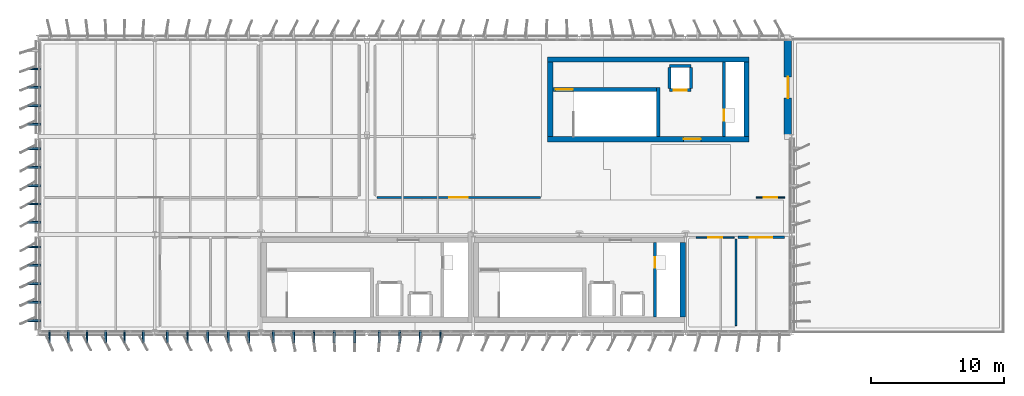
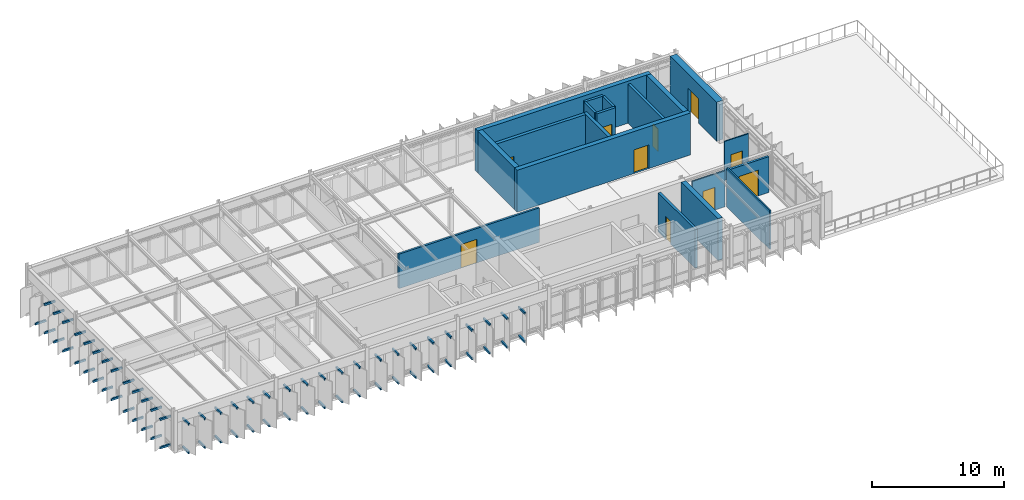
# One storey, part 16 of 20: 67 discrete accessories, 19 walls, 10 doors, 10 openings.
"""IFC4 building model written with IfcOpenShell, lengths in metres."""

from ifc_helpers import new_model, si_unit, direction, frame, frame_2d, origin, origin_2d, place, context, subcontext, project, spatial, rectangle, extrude, material, layer, layer_set, type_object, element, fill, save


model = new_model("IFC4")

# Units and contexts
model_context = context("Model", 3, precision=1e-05, world=origin(), true_north=direction((0.0, 1.0)))
body_context = subcontext(model_context, "Body", "Model", "MODEL_VIEW")
ifc_project = project(units=[si_unit("LENGTHUNIT", "METRE"), si_unit("AREAUNIT", "SQUARE_METRE"), si_unit("VOLUMEUNIT", "CUBIC_METRE"), si_unit("PLANEANGLEUNIT", "RADIAN"), si_unit("MASSUNIT", "GRAM", prefix="KILO")], contexts=[model_context])

# Site, building, storey
site_placement = place(None, origin())
site = spatial("IfcSite", under=ifc_project, at=site_placement, CompositionType="ELEMENT")
building_placement = place(site_placement, origin())
building = spatial("IfcBuilding", under=site, at=building_placement, Name="Valkorina Park Police Headquarters", CompositionType="ELEMENT")
storey_placement = place(building_placement, frame((0.0, 0.0, 31.10009765625)))
storey = spatial("IfcBuildingStorey", under=building, at=storey_placement, Name="L08", CompositionType="ELEMENT", Elevation=31.10009765625)

# Wall, opening, door
ifc_material_1 = material(Name="Acoustic mineral board")
ifc_layer_1 = layer(ifc_material_1, 0.175048828125)
ifc_layer_set_1 = layer_set([ifc_layer_1], Name="Acoustic mineral board")
wall_type_1 = type_object("IfcWallType", Name="WL-BRIEF-175-EI60", PredefinedType="PARTITIONING", material=ifc_layer_set_1)
wall_1_placement = place(storey_placement, frame((25.5400390625, 47.199951171875, 0.0), z_axis=(0.0, 0.0, 1.0), x_axis=(1.0, 0.0, 0.0)))
wall_1 = element("IfcWall", 1, at=wall_1_placement, inside=storey, type_object=wall_type_1, Name="L08 Interior Partition 0276 (L08-DIR-04)", PredefinedType="PARTITIONING", context=body_context, shape_type="SweptSolid", body=[
    extrude(rectangle(XDim=12.320068359375, YDim=0.175048828125, at=frame_2d((6.16015625, 0.0))), origin(), (0.0, 0.0, 1.0), 3.199951171875),
])
opening_1_placement = place(wall_1_placement, frame((5.4599609375, 0.0, 0.0)))
opening_1 = element("IfcOpeningElement", 2, at=opening_1_placement, cuts=wall_1, Name="Opening ID-07", PredefinedType="OPENING", context=body_context, shape_type="SweptSolid", body=[
    extrude(rectangle(XDim=1.39990234375, YDim=2.199951171875, at=frame_2d((0.699951171875, 1.10009765625))), frame((0.0, 0.09765625, 0.0), z_axis=(0.0, -1.0, 0.0), x_axis=(1.0, 0.0, 0.0)), (0.0, 0.0, 1.0), 0.195068359375),
])
ifc_material_2 = material(Name="Thermally broken aluminium AW-6060", Category="aluminium")
ifc_layer_2 = layer(ifc_material_2, 0.050048828125)
ifc_layer_set_2 = layer_set([ifc_layer_2], Name="Thermally broken aluminium AW-6060")
door_type_1 = type_object("IfcDoorType", Name="DR-INT-CONF-1400x2200", OperationType="NOTDEFINED", PredefinedType="DOOR", material=ifc_layer_set_2)
door_1_placement = place(opening_1_placement, origin())
door_1 = element("IfcDoor", 3, at=door_1_placement, inside=storey, type_object=door_type_1, Name="Door D-L08-I136 (L08-DIR-04)", OperationType="SINGLE_SWING_LEFT", OverallHeight=2.199951171875, OverallWidth=1.39990234375, PredefinedType="DOOR", context=body_context, shape_type="SweptSolid", body=[
    extrude(rectangle(XDim=1.39990234375, YDim=2.199951171875, at=frame_2d((0.699951171875, 1.10009765625))), frame((0.0, 0.02490234375, 0.0), z_axis=(0.0, -1.0, 0.0), x_axis=(1.0, 0.0, 0.0)), (0.0, 0.0, 1.0), 0.050048828125),
])
fill(opening_1, door_1)

ifc_material_3 = material(Name="Autoclaved aerated concrete masonry", Category="masonry")
ifc_layer_3 = layer(ifc_material_3, 0.219970703125)
ifc_layer_set_3 = layer_set([ifc_layer_3], Name="Autoclaved aerated concrete masonry")
wall_type_2 = type_object("IfcWallType", Name="WL-CHASE-220-EI60", PredefinedType="PLUMBINGWALL", material=ifc_layer_set_3)
wall_2_placement = place(storey_placement, frame((46.489990234375, 38.199951171875, 0.0), z_axis=(0.0, 0.0, 1.0), x_axis=(0.0, 1.0, 0.0)))
wall_2 = element("IfcWall", 4, at=wall_2_placement, inside=storey, type_object=wall_type_2, Name="Core C2 L08 Riser Shaft West Wall", PredefinedType="PLUMBINGWALL", context=body_context, shape_type="SweptSolid", body=[
    extrude(rectangle(XDim=5.60009765625, YDim=0.219970703125, at=frame_2d((2.800048828125, 0.0))), origin(), (0.0, 0.0, 1.0), 3.619873046875),
])
opening_2_placement = place(wall_2_placement, frame((3.699951171875, 0.0, 0.0)))
opening_2 = element("IfcOpeningElement", 5, at=opening_2_placement, cuts=wall_2, Name="Opening ID-01", PredefinedType="OPENING", context=body_context, shape_type="SweptSolid", body=[
    extrude(rectangle(XDim=0.800048828125, YDim=2.10009765625, at=frame_2d((0.39990234375, 1.050048828125))), frame((0.0, 0.1201171875, 0.0), z_axis=(0.0, -1.0, 0.0), x_axis=(1.0, 0.0, 0.0)), (0.0, 0.0, 1.0), 0.239990234375),
])
ifc_material_4 = material(Name="Galvanized steel door leaf", Category="steel")
ifc_layer_4 = layer(ifc_material_4, 0.050048828125)
ifc_layer_set_4 = layer_set([ifc_layer_4], Name="Galvanized steel door leaf")
door_type_2 = type_object("IfcDoorType", Name="DR-INT-RISER-800x2100", OperationType="NOTDEFINED", PredefinedType="DOOR", material=ifc_layer_set_4)
door_2_placement = place(opening_2_placement, origin())
door_2 = element("IfcDoor", 6, at=door_2_placement, inside=storey, type_object=door_type_2, Name="Riser Shaft Access Door C2-L08", OperationType="SINGLE_SWING_RIGHT", OverallHeight=2.10009765625, OverallWidth=0.800048828125, PredefinedType="DOOR", context=body_context, shape_type="SweptSolid", body=[
    extrude(rectangle(XDim=0.800048828125, YDim=2.10009765625, at=frame_2d((0.39990234375, 1.050048828125))), frame((0.0, 0.02490234375, 0.0), z_axis=(0.0, -1.0, 0.0), x_axis=(1.0, 0.0, 0.0)), (0.0, 0.0, 1.0), 0.050048828125),
])
fill(opening_2, door_2)

wall_3_placement = place(storey_placement, frame((47.590087890625, 55.2900390625, 0.0), z_axis=(0.0, 0.0, 1.0), x_axis=(1.0, 0.0, 0.0)))
wall_3 = element("IfcWall", 7, at=wall_3_placement, inside=storey, type_object=wall_type_2, Name="Lift LF-05 L08 Shaft Front Wall", PredefinedType="PLUMBINGWALL", context=body_context, shape_type="SweptSolid", body=[
    extrude(rectangle(XDim=1.619873046875, YDim=0.219970703125, at=frame_2d((0.81005859375, 0.0))), origin(), (0.0, 0.0, 1.0), 3.619873046875),
])
opening_3_placement = place(wall_3_placement, frame((0.31005859375, 0.0, 0.0)))
opening_3 = element("IfcOpeningElement", 8, at=opening_3_placement, cuts=wall_3, Name="Opening LD-02", PredefinedType="OPENING", context=body_context, shape_type="SweptSolid", body=[
    extrude(rectangle(XDim=1.0, YDim=2.199951171875, at=frame_2d((0.5, 1.10009765625))), frame((0.0, 0.1201171875, 0.0), z_axis=(0.0, -1.0, 0.0), x_axis=(1.0, 0.0, 0.0)), (0.0, 0.0, 1.0), 0.239990234375),
])
ifc_material_5 = material(Name="Stainless steel EN 1.4404", Category="steel")
ifc_layer_5 = layer(ifc_material_5, 0.050048828125)
ifc_layer_set_5 = layer_set([ifc_layer_5], Name="Stainless steel EN 1.4404")
door_type_3 = type_object("IfcDoorType", Name="DR-LIFT-PAX-1000x2200", OperationType="NOTDEFINED", PredefinedType="DOOR", material=ifc_layer_set_5)
door_3_placement = place(opening_3_placement, origin())
door_3 = element("IfcDoor", 9, at=door_3_placement, inside=storey, type_object=door_type_3, Name="Lift Landing Door LF-05-L08", OperationType="DOUBLE_DOOR_SLIDING", OverallHeight=2.199951171875, OverallWidth=1.0, PredefinedType="DOOR", context=body_context, shape_type="SweptSolid", body=[
    extrude(rectangle(XDim=1.0, YDim=2.199951171875, at=frame_2d((0.5, 1.10009765625))), frame((0.0, 0.02490234375, 0.0), z_axis=(0.0, -1.0, 0.0), x_axis=(1.0, 0.0, 0.0)), (0.0, 0.0, 1.0), 0.050048828125),
])
fill(opening_3, door_3)

# Walls
wall_4_placement = place(storey_placement, frame((47.590087890625, 57.110107421875, 0.0), z_axis=(0.0, 0.0, 1.0), x_axis=(1.0, 0.0, 0.0)))
element("IfcWall", 10, at=wall_4_placement, inside=storey, type_object=wall_type_2, Name="Lift LF-05 L08 Shaft Back Wall", PredefinedType="PLUMBINGWALL", context=body_context, shape_type="SweptSolid", body=[
    extrude(rectangle(XDim=1.619873046875, YDim=0.219970703125, at=frame_2d((0.81005859375, 0.0))), origin(), (0.0, 0.0, 1.0), 3.619873046875),
])
for number, where, z_axis, x_axis, name in (
    (11, (47.590087890625, 55.39990234375, 0.0), (0.0, 0.0, 1.0), (0.0, 1.0, 0.0), "Lift LF-05 L08 Shaft Side Wall W"),
    (12, (49.2099609375, 55.39990234375, 0.0), (0.0, 0.0, 1.0), (0.0, 1.0, 0.0), "Lift LF-05 L08 Shaft Side Wall E"),
):
    element("IfcWall", number, at=place(storey_placement, frame(where, z_axis=z_axis, x_axis=x_axis)), inside=storey, type_object=wall_type_2, Name=name, PredefinedType="PLUMBINGWALL", context=body_context, shape_type="SweptSolid", body=[
        extrude(rectangle(XDim=1.60009765625, YDim=0.219970703125, at=frame_2d((0.800048828125, 0.0))), origin(), (0.0, 0.0, 1.0), 3.619873046875),
    ])

# Wall, opening, door
wall_5_placement = place(storey_placement, frame((51.68994140625, 51.800048828125, 0.0), z_axis=(0.0, 0.0, 1.0), x_axis=(0.0, 1.0, 0.0)))
wall_5 = element("IfcWall", 13, at=wall_5_placement, inside=storey, type_object=wall_type_2, Name="Core C3 L08 Riser Shaft West Wall", PredefinedType="PLUMBINGWALL", context=body_context, shape_type="SweptSolid", body=[
    extrude(rectangle(XDim=5.599853515625, YDim=0.219970703125, at=frame_2d((2.7998046875, 0.0))), origin(), (0.0, 0.0, 1.0), 3.619873046875),
])
opening_4_placement = place(wall_5_placement, frame((1.199951171875, 0.0, 0.0)))
opening_4 = element("IfcOpeningElement", 14, at=opening_4_placement, cuts=wall_5, Name="Opening ID-01", PredefinedType="OPENING", context=body_context, shape_type="SweptSolid", body=[
    extrude(rectangle(XDim=0.800048828125, YDim=2.10009765625, at=frame_2d((0.39990234375, 1.050048828125))), frame((0.0, 0.1201171875, 0.0), z_axis=(0.0, -1.0, 0.0), x_axis=(1.0, 0.0, 0.0)), (0.0, 0.0, 1.0), 0.239990234375),
])
door_4_placement = place(opening_4_placement, origin())
door_4 = element("IfcDoor", 15, at=door_4_placement, inside=storey, type_object=door_type_2, Name="Riser Shaft Access Door C3-L08", OperationType="SINGLE_SWING_RIGHT", OverallHeight=2.10009765625, OverallWidth=0.800048828125, PredefinedType="DOOR", context=body_context, shape_type="SweptSolid", body=[
    extrude(rectangle(XDim=0.800048828125, YDim=2.10009765625, at=frame_2d((0.39990234375, 1.050048828125))), frame((0.0, 0.02490234375, 0.0), z_axis=(0.0, -1.0, 0.0), x_axis=(1.0, 0.0, 0.0)), (0.0, 0.0, 1.0), 0.050048828125),
])
fill(opening_4, door_4)

# Wall
ifc_material_6 = material(Name="Concrete C40/50", Category="concrete")
ifc_layer_6 = layer(ifc_material_6, 0.39990234375)
ifc_layer_set_6 = layer_set([ifc_layer_6], Name="Concrete C40/50")
wall_type_3 = type_object("IfcWallType", Name="WL-CORE-400-REI180", PredefinedType="SHEAR", material=ifc_layer_set_6)
wall_6_placement = place(storey_placement, frame((48.60009765625, 38.199951171875, 0.0), z_axis=(0.0, 0.0, 1.0), x_axis=(0.0, 1.0, 0.0)))
element("IfcWall", 16, at=wall_6_placement, inside=storey, type_object=wall_type_3, Name="Core C2 L08 Shear Wall E", PredefinedType="SHEAR", context=body_context, shape_type="SweptSolid", body=[
    extrude(rectangle(XDim=5.60009765625, YDim=0.39990234375, at=frame_2d((2.800048828125, 0.0))), origin(), (0.0, 0.0, 1.0), 3.89501953125),
])

# Wall, opening, door
wall_7_placement = place(storey_placement, frame((38.39990234375, 51.60009765625, 0.0), z_axis=(0.0, 0.0, 1.0), x_axis=(1.0, 0.0, 0.0)))
wall_7 = element("IfcWall", 17, at=wall_7_placement, inside=storey, type_object=wall_type_3, Name="Core C3 L08 Shear Wall S", PredefinedType="SHEAR", context=body_context, shape_type="SweptSolid", body=[
    extrude(rectangle(XDim=15.2001953125, YDim=0.39990234375, at=frame_2d((7.60009765625, 0.0))), origin(), (0.0, 0.0, 1.0), 3.89501953125),
])
opening_5_placement = place(wall_7_placement, frame((10.25, 0.0, 0.0)))
opening_5 = element("IfcOpeningElement", 18, at=opening_5_placement, cuts=wall_7, Name="Opening FD-03", PredefinedType="OPENING", context=body_context, shape_type="SweptSolid", body=[
    extrude(rectangle(XDim=1.300048828125, YDim=2.199951171875, at=frame_2d((0.64990234375, 1.10009765625))), frame((0.0, 0.2099609375, 0.0), z_axis=(0.0, -1.0, 0.0), x_axis=(1.0, 0.0, 0.0)), (0.0, 0.0, 1.0), 0.419921875),
])
ifc_layer_7 = layer(ifc_material_4, 0.050048828125)
ifc_layer_set_7 = layer_set([ifc_layer_7], Name="Galvanized steel door leaf")
door_type_4 = type_object("IfcDoorType", Name="DR-FIRE-STAIR-1300x2200", OperationType="NOTDEFINED", PredefinedType="DOOR", material=ifc_layer_set_7)
door_5_placement = place(opening_5_placement, origin())
door_5 = element("IfcDoor", 19, at=door_5_placement, inside=storey, type_object=door_type_4, Name="Door D-L08-LBY-C3 (Core C3 Lobby Fire Door)", OperationType="SINGLE_SWING_LEFT", OverallHeight=2.199951171875, OverallWidth=1.300048828125, PredefinedType="DOOR", context=body_context, shape_type="SweptSolid", body=[
    extrude(rectangle(XDim=1.300048828125, YDim=2.199951171875, at=frame_2d((0.64990234375, 1.10009765625))), frame((0.0, 0.02490234375, 0.0), z_axis=(0.0, -1.0, 0.0), x_axis=(1.0, 0.0, 0.0)), (0.0, 0.0, 1.0), 0.050048828125),
])
fill(opening_5, door_5)

# Walls
wall_8_placement = place(storey_placement, frame((38.39990234375, 57.60009765625, 0.0), z_axis=(0.0, 0.0, 1.0), x_axis=(1.0, 0.0, 0.0)))
element("IfcWall", 20, at=wall_8_placement, inside=storey, type_object=wall_type_3, Name="Core C3 L08 Shear Wall N", PredefinedType="SHEAR", context=body_context, shape_type="SweptSolid", body=[
    extrude(rectangle(XDim=15.2001953125, YDim=0.39990234375, at=frame_2d((7.60009765625, 0.0))), origin(), (0.0, 0.0, 1.0), 3.89501953125),
])
for number, where, z_axis, x_axis, name in (
    (21, (38.60009765625, 51.800048828125, 0.0), (0.0, 0.0, 1.0), (0.0, 1.0, 0.0), "Core C3 L08 Shear Wall W"),
    (22, (53.39990234375, 51.800048828125, 0.0), (0.0, 0.0, 1.0), (0.0, 1.0, 0.0), "Core C3 L08 Shear Wall E"),
):
    element("IfcWall", number, at=place(storey_placement, frame(where, z_axis=z_axis, x_axis=x_axis)), inside=storey, type_object=wall_type_3, Name=name, PredefinedType="SHEAR", context=body_context, shape_type="SweptSolid", body=[
        extrude(rectangle(XDim=5.599853515625, YDim=0.39990234375, at=frame_2d((2.7998046875, 0.0))), origin(), (0.0, 0.0, 1.0), 3.89501953125),
    ])

# Wall, opening, door
ifc_layer_8 = layer(ifc_material_3, 0.199951171875)
ifc_layer_set_8 = layer_set([ifc_layer_8], Name="Autoclaved aerated concrete masonry")
wall_type_4 = type_object("IfcWallType", Name="WL-CORR-200-EI60", PredefinedType="STANDARD", material=ifc_layer_set_8)
wall_9_placement = place(storey_placement, frame((52.739990234375, 44.199951171875, 0.0), z_axis=(0.0, 0.0, 1.0), x_axis=(1.0, 0.0, 0.0)))
wall_9 = element("IfcWall", 23, at=wall_9_placement, inside=storey, type_object=wall_type_4, Name="L08 Interior Partition 0285 (L08-PLT-01)", PredefinedType="STANDARD", context=body_context, shape_type="SweptSolid", body=[
    extrude(rectangle(XDim=3.52001953125, YDim=0.199951171875, at=frame_2d((1.760009765625, 0.0))), origin(), (0.0, 0.0, 1.0), 3.329833984375),
])
opening_6_placement = place(wall_9_placement, frame((0.909912109375, 0.0, 0.0)))
opening_6 = element("IfcOpeningElement", 24, at=opening_6_placement, cuts=wall_9, Name="Opening FD-08", PredefinedType="OPENING", context=body_context, shape_type="SweptSolid", body=[
    extrude(rectangle(XDim=1.699951171875, YDim=2.39990234375, at=frame_2d((0.85009765625, 1.199951171875))), frame((0.0, 0.10986328125, 0.0), z_axis=(0.0, -1.0, 0.0), x_axis=(1.0, 0.0, 0.0)), (0.0, 0.0, 1.0), 0.219970703125),
])
ifc_layer_9 = layer(ifc_material_4, 0.050048828125)
ifc_layer_set_9 = layer_set([ifc_layer_9], Name="Galvanized steel door leaf")
door_type_5 = type_object("IfcDoorType", Name="DR-FIRE-PLANT-1700x2400", OperationType="NOTDEFINED", PredefinedType="DOOR", material=ifc_layer_set_9)
door_6_placement = place(opening_6_placement, origin())
door_6 = element("IfcDoor", 25, at=door_6_placement, inside=storey, type_object=door_type_5, Name="Door D-L08-I142 (L08-PLT-01)", OperationType="DOUBLE_DOOR_SINGLE_SWING", OverallHeight=2.39990234375, OverallWidth=1.699951171875, PredefinedType="DOOR", context=body_context, shape_type="SweptSolid", body=[
    extrude(rectangle(XDim=1.699951171875, YDim=2.39990234375, at=frame_2d((0.85009765625, 1.199951171875))), frame((0.0, 0.02490234375, 0.0), z_axis=(0.0, -1.0, 0.0), x_axis=(1.0, 0.0, 0.0)), (0.0, 0.0, 1.0), 0.050048828125),
])
fill(opening_6, door_6)

ifc_material_7 = material(Name="Concrete C35/45", Category="concrete")
ifc_layer_10 = layer(ifc_material_7, 0.580078125)
ifc_layer_set_10 = layer_set([ifc_layer_10], Name="Concrete C35/45")
wall_type_5 = type_object("IfcWallType", Name="WL-EXT-BOARD-580", PredefinedType="STANDARD", material=ifc_layer_set_10)
wall_10_placement = place(storey_placement, frame((56.510009765625, 59.0400390625, 0.0), z_axis=(0.0, 0.0, 1.0), x_axis=(0.0, -1.0, 0.0)))
wall_10 = element("IfcWall", 26, at=wall_10_placement, inside=storey, type_object=wall_type_5, Name="L08 Architectural Concrete Exterior Wall 0277", PredefinedType="STANDARD", context=body_context, shape_type="SweptSolid", body=[
    extrude(rectangle(XDim=7.080078125, YDim=0.580078125, at=frame_2d((3.5400390625, 0.0))), origin(), (0.0, 0.0, 1.0), 3.619873046875),
])
opening_7_placement = place(wall_10_placement, frame((2.739990234375, 0.0, 0.0)))
opening_7 = element("IfcOpeningElement", 27, at=opening_7_placement, cuts=wall_10, Name="Opening ED-05", PredefinedType="OPENING", context=body_context, shape_type="SweptSolid", body=[
    extrude(rectangle(XDim=1.60009765625, YDim=2.300048828125, at=frame_2d((0.800048828125, 1.14990234375))), frame((0.0, 0.300048828125, 0.0), z_axis=(0.0, -1.0, 0.0), x_axis=(1.0, 0.0, 0.0)), (0.0, 0.0, 1.0), 0.60009765625),
])
ifc_layer_11 = layer(ifc_material_2, 0.050048828125)
ifc_layer_set_11 = layer_set([ifc_layer_11], Name="Thermally broken aluminium AW-6060")
door_type_6 = type_object("IfcDoorType", Name="DR-EXT-TERR-1600x2300", OperationType="NOTDEFINED", PredefinedType="DOOR", material=ifc_layer_set_11)
door_7_placement = place(opening_7_placement, origin())
door_7 = element("IfcDoor", 28, at=door_7_placement, inside=storey, type_object=door_type_6, Name="Door D-L08-025 (TERR-L08-EXEC Terrace Door)", OperationType="DOUBLE_DOOR_SINGLE_SWING", OverallHeight=2.300048828125, OverallWidth=1.60009765625, PredefinedType="DOOR", context=body_context, shape_type="SweptSolid", body=[
    extrude(rectangle(XDim=1.60009765625, YDim=2.300048828125, at=frame_2d((0.800048828125, 1.14990234375))), frame((0.0, 0.02490234375, 0.0), z_axis=(0.0, -1.0, 0.0), x_axis=(1.0, 0.0, 0.0)), (0.0, 0.0, 1.0), 0.050048828125),
])
fill(opening_7, door_7)

ifc_material_8 = material(Name="Gypsum plasterboard")
ifc_layer_12 = layer(ifc_material_8, 0.10009765625)
ifc_layer_set_12 = layer_set([ifc_layer_12], Name="Gypsum plasterboard")
wall_type_6 = type_object("IfcWallType", Name="WL-PART-100", PredefinedType="PARTITIONING", material=ifc_layer_set_12)
wall_11_placement = place(storey_placement, frame((54.139892578125, 47.199951171875, 0.0), z_axis=(0.0, 0.0, 1.0), x_axis=(1.0, 0.0, 0.0)))
wall_11 = element("IfcWall", 29, at=wall_11_placement, inside=storey, type_object=wall_type_6, Name="L08 Interior Partition 0279 (L08-DIR-06)", PredefinedType="PARTITIONING", context=body_context, shape_type="SweptSolid", body=[
    extrude(rectangle(XDim=2.1201171875, YDim=0.10009765625, at=frame_2d((1.06005859375, 0.0))), origin(), (0.0, 0.0, 1.0), 3.619873046875),
])
opening_8_placement = place(wall_11_placement, frame((0.56005859375, 0.0, 0.0)))
opening_8 = element("IfcOpeningElement", 30, at=opening_8_placement, cuts=wall_11, Name="Opening ID-04", PredefinedType="OPENING", context=body_context, shape_type="SweptSolid", body=[
    extrude(rectangle(XDim=1.0, YDim=2.199951171875, at=frame_2d((0.5, 1.10009765625))), frame((0.0, 0.06005859375, 0.0), z_axis=(0.0, -1.0, 0.0), x_axis=(1.0, 0.0, 0.0)), (0.0, 0.0, 1.0), 0.1201171875),
])
ifc_layer_13 = layer(ifc_material_2, 0.050048828125)
ifc_layer_set_13 = layer_set([ifc_layer_13], Name="Thermally broken aluminium AW-6060")
door_type_7 = type_object("IfcDoorType", Name="DR-INT-OFF-1000x2200", OperationType="NOTDEFINED", PredefinedType="DOOR", material=ifc_layer_set_13)
door_8_placement = place(opening_8_placement, origin())
door_8 = element("IfcDoor", 31, at=door_8_placement, inside=storey, type_object=door_type_7, Name="Door D-L08-I138 (L08-DIR-06)", OperationType="SINGLE_SWING_LEFT", OverallHeight=2.199951171875, OverallWidth=1.0, PredefinedType="DOOR", context=body_context, shape_type="SweptSolid", body=[
    extrude(rectangle(XDim=1.0, YDim=2.199951171875, at=frame_2d((0.5, 1.10009765625))), frame((0.0, 0.02490234375, 0.0), z_axis=(0.0, -1.0, 0.0), x_axis=(1.0, 0.0, 0.0)), (0.0, 0.0, 1.0), 0.050048828125),
])
fill(opening_8, door_8)

ifc_layer_14 = layer(ifc_material_8, 0.125)
ifc_layer_set_14 = layer_set([ifc_layer_14], Name="Gypsum plasterboard")
wall_type_7 = type_object("IfcWallType", Name="WL-PART-125-EI30", PredefinedType="PARTITIONING", material=ifc_layer_set_14)
wall_12_placement = place(storey_placement, frame((49.590087890625, 44.199951171875, 0.0), z_axis=(0.0, 0.0, 1.0), x_axis=(1.0, 0.0, 0.0)))
wall_12 = element("IfcWall", 32, at=wall_12_placement, inside=storey, type_object=wall_type_7, Name="L08 Interior Partition 0283 (L08-WC-A)", PredefinedType="PARTITIONING", context=body_context, shape_type="SweptSolid", body=[
    extrude(rectangle(XDim=2.869873046875, YDim=0.125, at=frame_2d((1.43505859375, 0.0))), origin(), (0.0, 0.0, 1.0), 3.329833984375),
])
opening_9_placement = place(wall_12_placement, frame((0.909912109375, 0.0, 0.0)))
opening_9 = element("IfcOpeningElement", 33, at=opening_9_placement, cuts=wall_12, Name="Opening ID-03", PredefinedType="OPENING", context=body_context, shape_type="SweptSolid", body=[
    extrude(rectangle(XDim=1.050048828125, YDim=2.10009765625, at=frame_2d((0.52490234375, 1.050048828125))), frame((0.0, 0.072509765625, 0.0), z_axis=(0.0, -1.0, 0.0), x_axis=(1.0, 0.0, 0.0)), (0.0, 0.0, 1.0), 0.14501953125),
])
ifc_layer_15 = layer(ifc_material_2, 0.050048828125)
ifc_layer_set_15 = layer_set([ifc_layer_15], Name="Thermally broken aluminium AW-6060")
door_type_8 = type_object("IfcDoorType", Name="DR-INT-ACC-1050x2100", OperationType="NOTDEFINED", PredefinedType="DOOR", material=ifc_layer_set_15)
door_9_placement = place(opening_9_placement, origin())
door_9 = element("IfcDoor", 34, at=door_9_placement, inside=storey, type_object=door_type_8, Name="Door D-L08-I141 (L08-WC-A)", OperationType="SINGLE_SWING_RIGHT", OverallHeight=2.10009765625, OverallWidth=1.050048828125, PredefinedType="DOOR", context=body_context, shape_type="SweptSolid", body=[
    extrude(rectangle(XDim=1.050048828125, YDim=2.10009765625, at=frame_2d((0.52490234375, 1.050048828125))), frame((0.0, 0.02490234375, 0.0), z_axis=(0.0, -1.0, 0.0), x_axis=(1.0, 0.0, 0.0)), (0.0, 0.0, 1.0), 0.050048828125),
])
fill(opening_9, door_9)

# Walls
wall_13_placement = place(storey_placement, frame((52.60009765625, 37.5400390625, 0.0), z_axis=(0.0, 0.0, 1.0), x_axis=(0.0, 1.0, 0.0)))
element("IfcWall", 35, at=wall_13_placement, inside=storey, type_object=wall_type_7, Name="L08 Interior Partition 0284 (L08-WC-A)", PredefinedType="PARTITIONING", context=body_context, shape_type="SweptSolid", body=[
    extrude(rectangle(XDim=6.52001953125, YDim=0.125, at=frame_2d((3.260009765625, 0.0))), origin(), (0.0, 0.0, 1.0), 3.619873046875),
])
ifc_layer_16 = layer(ifc_material_6, 0.280029296875)
ifc_layer_set_16 = layer_set([ifc_layer_16], Name="Concrete C40/50")
wall_type_8 = type_object("IfcWallType", Name="WL-STAIR-280-REI120", PredefinedType="SHEAR", material=ifc_layer_set_16)
wall_14_placement = place(storey_placement, frame((46.739990234375, 51.800048828125, 0.0), z_axis=(0.0, 0.0, 1.0), x_axis=(0.0, 1.0, 0.0)))
element("IfcWall", 36, at=wall_14_placement, inside=storey, type_object=wall_type_8, Name="Core C3 L08 Shear Wall DIV", PredefinedType="SHEAR", context=body_context, shape_type="SweptSolid", body=[
    extrude(rectangle(XDim=3.679931640625, YDim=0.280029296875, at=frame_2d((1.83984375, 0.0))), origin(), (0.0, 0.0, 1.0), 3.89501953125),
])

# Wall, opening, door
wall_15_placement = place(storey_placement, frame((38.800048828125, 55.340087890625, 0.0), z_axis=(0.0, 0.0, 1.0), x_axis=(1.0, 0.0, 0.0)))
wall_15 = element("IfcWall", 37, at=wall_15_placement, inside=storey, type_object=wall_type_8, Name="Core C3 L08 Shear Wall SIDE", PredefinedType="SHEAR", context=body_context, shape_type="SweptSolid", body=[
    extrude(rectangle(XDim=7.800048828125, YDim=0.280029296875, at=frame_2d((3.89990234375, 0.0))), origin(), (0.0, 0.0, 1.0), 3.89501953125),
])
opening_10_placement = place(wall_15_placement, frame((0.199951171875, 0.0, 0.0)))
opening_10 = element("IfcOpeningElement", 38, at=opening_10_placement, cuts=wall_15, Name="Opening FD-03", PredefinedType="OPENING", context=body_context, shape_type="SweptSolid", body=[
    extrude(rectangle(XDim=1.300048828125, YDim=2.199951171875, at=frame_2d((0.64990234375, 1.10009765625))), frame((0.0, 0.14990234375, 0.0), z_axis=(0.0, -1.0, 0.0), x_axis=(1.0, 0.0, 0.0)), (0.0, 0.0, 1.0), 0.300048828125),
])
door_10_placement = place(opening_10_placement, origin())
door_10 = element("IfcDoor", 39, at=door_10_placement, inside=storey, type_object=door_type_4, Name="Door D-L08-C123 (ST-03 Stair Fire Door)", OperationType="SINGLE_SWING_RIGHT", OverallHeight=2.199951171875, OverallWidth=1.300048828125, PredefinedType="DOOR", context=body_context, shape_type="SweptSolid", body=[
    extrude(rectangle(XDim=1.300048828125, YDim=2.199951171875, at=frame_2d((0.64990234375, 1.10009765625))), frame((0.0, 0.02490234375, 0.0), z_axis=(0.0, -1.0, 0.0), x_axis=(1.0, 0.0, 0.0)), (0.0, 0.0, 1.0), 0.050048828125),
])
fill(opening_10, door_10)

# Discrete accessories
discrete_accessory_type = type_object("IfcDiscreteAccessoryType", Name="ACC-BRACKET-LOUVRE", PredefinedType="BRACKET", material=ifc_material_2)
for number, where, z_axis, x_axis, name in (
    (40, (30.3359375, 36.719970703125, -0.06982421875), (0.0, 0.0, 1.0), (0.0, -1.0, 0.0), "Louvre Outrigger Bracket BOT 1189"),
    (41, (30.3359375, 36.719970703125, 2.56005859375), (0.0, 0.0, 1.0), (0.0, -1.0, 0.0), "Louvre Outrigger Bracket TOP 1190"),
    (42, (28.800048828125, 36.719970703125, -0.06982421875), (0.0, 0.0, 1.0), (0.0, -1.0, 0.0), "Louvre Outrigger Bracket BOT 1191"),
    (43, (28.800048828125, 36.719970703125, 2.56005859375), (0.0, 0.0, 1.0), (0.0, -1.0, 0.0), "Louvre Outrigger Bracket TOP 1192"),
    (44, (27.263916015625, 36.719970703125, -0.06982421875), (0.0, 0.0, 1.0), (0.0, -1.0, 0.0), "Louvre Outrigger Bracket BOT 1193"),
    (45, (27.263916015625, 36.719970703125, 2.56005859375), (0.0, 0.0, 1.0), (0.0, -1.0, 0.0), "Louvre Outrigger Bracket TOP 1194"),
    (46, (25.72802734375, 36.719970703125, -0.06982421875), (0.0, 0.0, 1.0), (0.0, -1.0, 0.0), "Louvre Outrigger Bracket BOT 1195"),
    (47, (25.72802734375, 36.719970703125, 2.56005859375), (0.0, 0.0, 1.0), (0.0, -1.0, 0.0), "Louvre Outrigger Bracket TOP 1196"),
    (48, (23.8720703125, 36.719970703125, -0.06982421875), (0.0, 0.0, 1.0), (0.0, -1.0, 0.0), "Louvre Outrigger Bracket BOT 1197"),
    (49, (23.8720703125, 36.719970703125, 2.56005859375), (0.0, 0.0, 1.0), (0.0, -1.0, 0.0), "Louvre Outrigger Bracket TOP 1198"),
    (50, (22.3359375, 36.719970703125, -0.06982421875), (0.0, 0.0, 1.0), (0.0, -1.0, 0.0), "Louvre Outrigger Bracket BOT 1199"),
    (51, (22.3359375, 36.719970703125, 2.56005859375), (0.0, 0.0, 1.0), (0.0, -1.0, 0.0), "Louvre Outrigger Bracket TOP 1200"),
    (52, (20.800048828125, 36.719970703125, -0.06982421875), (0.0, 0.0, 1.0), (0.0, -1.0, 0.0), "Louvre Outrigger Bracket BOT 1201"),
    (53, (20.800048828125, 36.719970703125, 2.56005859375), (0.0, 0.0, 1.0), (0.0, -1.0, 0.0), "Louvre Outrigger Bracket TOP 1202"),
    (54, (19.263916015625, 36.719970703125, -0.06982421875), (0.0, 0.0, 1.0), (0.0, -1.0, 0.0), "Louvre Outrigger Bracket BOT 1203"),
    (55, (19.263916015625, 36.719970703125, 2.56005859375), (0.0, 0.0, 1.0), (0.0, -1.0, 0.0), "Louvre Outrigger Bracket TOP 1204"),
    (56, (17.72802734375, 36.719970703125, -0.06982421875), (0.0, 0.0, 1.0), (0.0, -1.0, 0.0), "Louvre Outrigger Bracket BOT 1205"),
    (57, (17.72802734375, 36.719970703125, 2.56005859375), (0.0, 0.0, 1.0), (0.0, -1.0, 0.0), "Louvre Outrigger Bracket TOP 1206"),
    (58, (15.8720703125, 36.719970703125, -0.06982421875), (0.0, 0.0, 1.0), (0.0, -1.0, 0.0), "Louvre Outrigger Bracket BOT 1207"),
    (59, (15.8720703125, 36.719970703125, 2.56005859375), (0.0, 0.0, 1.0), (0.0, -1.0, 0.0), "Louvre Outrigger Bracket TOP 1208"),
    (60, (14.3359375, 36.719970703125, -0.06982421875), (0.0, 0.0, 1.0), (0.0, -1.0, 0.0), "Louvre Outrigger Bracket BOT 1209"),
    (61, (14.3359375, 36.719970703125, 2.56005859375), (0.0, 0.0, 1.0), (0.0, -1.0, 0.0), "Louvre Outrigger Bracket TOP 1210"),
    (62, (12.800048828125, 36.719970703125, -0.06982421875), (0.0, 0.0, 1.0), (0.0, -1.0, 0.0), "Louvre Outrigger Bracket BOT 1211"),
    (63, (12.800048828125, 36.719970703125, 2.56005859375), (0.0, 0.0, 1.0), (0.0, -1.0, 0.0), "Louvre Outrigger Bracket TOP 1212"),
    (64, (11.263916015625, 36.719970703125, -0.06982421875), (0.0, 0.0, 1.0), (0.0, -1.0, 0.0), "Louvre Outrigger Bracket BOT 1213"),
    (65, (11.263916015625, 36.719970703125, 2.56005859375), (0.0, 0.0, 1.0), (0.0, -1.0, 0.0), "Louvre Outrigger Bracket TOP 1214"),
    (66, (9.72802734375, 36.719970703125, -0.06982421875), (0.0, 0.0, 1.0), (0.0, -1.0, 0.0), "Louvre Outrigger Bracket BOT 1215"),
    (67, (9.72802734375, 36.719970703125, 2.56005859375), (0.0, 0.0, 1.0), (0.0, -1.0, 0.0), "Louvre Outrigger Bracket TOP 1216"),
    (68, (7.933349609375, 36.719970703125, -0.06982421875), (0.0, 0.0, 1.0), (0.0, -1.0, 0.0), "Louvre Outrigger Bracket BOT 1217"),
    (69, (7.933349609375, 36.719970703125, 2.56005859375), (0.0, 0.0, 1.0), (0.0, -1.0, 0.0), "Louvre Outrigger Bracket TOP 1218"),
    (70, (6.52001953125, 36.719970703125, -0.06982421875), (0.0, 0.0, 1.0), (0.0, -1.0, 0.0), "Louvre Outrigger Bracket BOT 1219"),
    (71, (6.52001953125, 36.719970703125, 2.56005859375), (0.0, 0.0, 1.0), (0.0, -1.0, 0.0), "Louvre Outrigger Bracket TOP 1220"),
    (72, (5.106689453125, 36.719970703125, -0.06982421875), (0.0, 0.0, 1.0), (0.0, -1.0, 0.0), "Louvre Outrigger Bracket BOT 1221"),
    (73, (5.106689453125, 36.719970703125, 2.56005859375), (0.0, 0.0, 1.0), (0.0, -1.0, 0.0), "Louvre Outrigger Bracket TOP 1222"),
    (74, (3.693359375, 36.719970703125, -0.06982421875), (0.0, 0.0, 1.0), (0.0, -1.0, 0.0), "Louvre Outrigger Bracket BOT 1223"),
    (75, (3.693359375, 36.719970703125, 2.56005859375), (0.0, 0.0, 1.0), (0.0, -1.0, 0.0), "Louvre Outrigger Bracket TOP 1224"),
    (76, (2.280029296875, 36.719970703125, -0.06982421875), (0.0, 0.0, 1.0), (0.0, -1.0, 0.0), "Louvre Outrigger Bracket BOT 1225"),
    (77, (2.280029296875, 36.719970703125, 2.56005859375), (0.0, 0.0, 1.0), (0.0, -1.0, 0.0), "Louvre Outrigger Bracket TOP 1226"),
    (78, (0.86669921875, 36.719970703125, -0.06982421875), (0.0, 0.0, 1.0), (0.0, -1.0, 0.0), "Louvre Outrigger Bracket BOT 1227"),
    (79, (0.86669921875, 36.719970703125, 2.56005859375), (0.0, 0.0, 1.0), (0.0, -1.0, 0.0), "Louvre Outrigger Bracket TOP 1228"),
    (80, (-0.280029296875, 37.927978515625, -0.06982421875), (0.0, 0.0, 1.0), (-1.0, 0.0, 0.0), "Louvre Outrigger Bracket BOT 1229"),
    (81, (-0.280029296875, 37.927978515625, 2.56005859375), (0.0, 0.0, 1.0), (-1.0, 0.0, 0.0), "Louvre Outrigger Bracket TOP 1230"),
    (82, (-0.280029296875, 39.31396484375, -0.06982421875), (0.0, 0.0, 1.0), (-1.0, 0.0, 0.0), "Louvre Outrigger Bracket BOT 1231"),
    (83, (-0.280029296875, 39.31396484375, 2.56005859375), (0.0, 0.0, 1.0), (-1.0, 0.0, 0.0), "Louvre Outrigger Bracket TOP 1232"),
    (84, (-0.280029296875, 40.699951171875, -0.06982421875), (0.0, 0.0, 1.0), (-1.0, 0.0, 0.0), "Louvre Outrigger Bracket BOT 1233"),
    (85, (-0.280029296875, 40.699951171875, 2.56005859375), (0.0, 0.0, 1.0), (-1.0, 0.0, 0.0), "Louvre Outrigger Bracket TOP 1234"),
    (86, (-0.280029296875, 42.0859375, -0.06982421875), (0.0, 0.0, 1.0), (-1.0, 0.0, 0.0), "Louvre Outrigger Bracket BOT 1235"),
    (87, (-0.280029296875, 42.0859375, 2.56005859375), (0.0, 0.0, 1.0), (-1.0, 0.0, 0.0), "Louvre Outrigger Bracket TOP 1236"),
    (88, (-0.280029296875, 43.471923828125, -0.06982421875), (0.0, 0.0, 1.0), (-1.0, 0.0, 0.0), "Louvre Outrigger Bracket BOT 1237"),
    (89, (-0.280029296875, 43.471923828125, 2.56005859375), (0.0, 0.0, 1.0), (-1.0, 0.0, 0.0), "Louvre Outrigger Bracket TOP 1238"),
    (90, (-0.280029296875, 45.327880859375, -0.06982421875), (0.0, 0.0, 1.0), (-1.0, 0.0, 0.0), "Louvre Outrigger Bracket BOT 1239"),
    (91, (-0.280029296875, 45.327880859375, 2.56005859375), (0.0, 0.0, 1.0), (-1.0, 0.0, 0.0), "Louvre Outrigger Bracket TOP 1240"),
    (92, (-0.280029296875, 46.714111328125, -0.06982421875), (0.0, 0.0, 1.0), (-1.0, 0.0, 0.0), "Louvre Outrigger Bracket BOT 1241"),
    (93, (-0.280029296875, 46.714111328125, 2.56005859375), (0.0, 0.0, 1.0), (-1.0, 0.0, 0.0), "Louvre Outrigger Bracket TOP 1242"),
    (94, (-0.280029296875, 48.10009765625, -0.06982421875), (0.0, 0.0, 1.0), (-1.0, 0.0, 0.0), "Louvre Outrigger Bracket BOT 1243"),
    (95, (-0.280029296875, 48.10009765625, 2.56005859375), (0.0, 0.0, 1.0), (-1.0, 0.0, 0.0), "Louvre Outrigger Bracket TOP 1244"),
    (96, (-0.280029296875, 49.486083984375, -0.06982421875), (0.0, 0.0, 1.0), (-1.0, 0.0, 0.0), "Louvre Outrigger Bracket BOT 1245"),
    (97, (-0.280029296875, 49.486083984375, 2.56005859375), (0.0, 0.0, 1.0), (-1.0, 0.0, 0.0), "Louvre Outrigger Bracket TOP 1246"),
    (98, (-0.280029296875, 50.8720703125, -0.06982421875), (0.0, 0.0, 1.0), (-1.0, 0.0, 0.0), "Louvre Outrigger Bracket BOT 1247"),
    (99, (-0.280029296875, 50.8720703125, 2.56005859375), (0.0, 0.0, 1.0), (-1.0, 0.0, 0.0), "Louvre Outrigger Bracket TOP 1248"),
    (100, (-0.280029296875, 52.72802734375, -0.06982421875), (0.0, 0.0, 1.0), (-1.0, 0.0, 0.0), "Louvre Outrigger Bracket BOT 1249"),
    (101, (-0.280029296875, 52.72802734375, 2.56005859375), (0.0, 0.0, 1.0), (-1.0, 0.0, 0.0), "Louvre Outrigger Bracket TOP 1250"),
    (102, (-0.280029296875, 54.114013671875, -0.06982421875), (0.0, 0.0, 1.0), (-1.0, 0.0, 0.0), "Louvre Outrigger Bracket BOT 1251"),
    (103, (-0.280029296875, 54.114013671875, 2.56005859375), (0.0, 0.0, 1.0), (-1.0, 0.0, 0.0), "Louvre Outrigger Bracket TOP 1252"),
    (104, (-0.280029296875, 55.5, -0.06982421875), (0.0, 0.0, 1.0), (-1.0, 0.0, 0.0), "Louvre Outrigger Bracket BOT 1253"),
    (105, (-0.280029296875, 55.5, 2.56005859375), (0.0, 0.0, 1.0), (-1.0, 0.0, 0.0), "Louvre Outrigger Bracket TOP 1254"),
    (106, (-0.280029296875, 56.885986328125, -0.06982421875), (0.0, 0.0, 1.0), (-1.0, 0.0, 0.0), "Louvre Outrigger Bracket BOT 1255"),
):
    element("IfcDiscreteAccessory", number, at=place(storey_placement, frame(where, z_axis=z_axis, x_axis=x_axis)), inside=storey, type_object=discrete_accessory_type, Name=name, PredefinedType="BRACKET", context=body_context, shape_type="SweptSolid", body=[
        extrude(rectangle(XDim=0.9599609375, YDim=0.139892578125, at=origin_2d()), origin(), (0.0, 0.0, 1.0), 0.179931640625),
    ])

save(model, "model.ifc")
